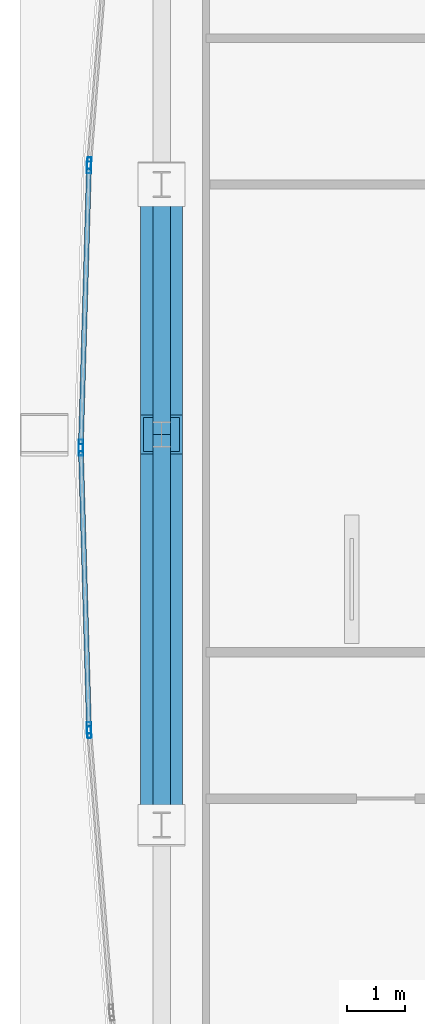
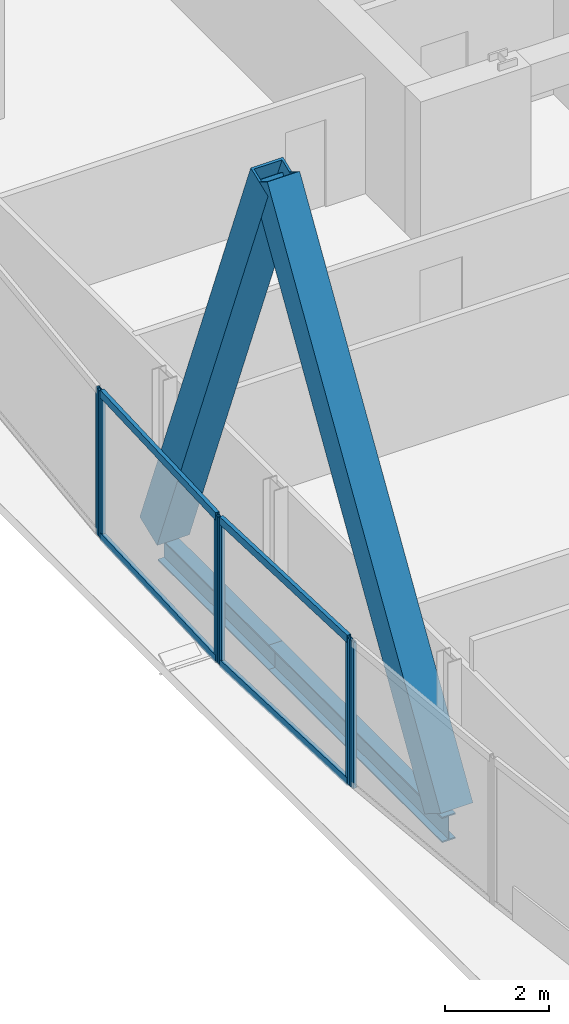
# One storey, part 10 of 32: 12 members, 2 beams, 4 elements without a shape of their own.
"""IFC4 building model written with IfcOpenShell, lengths in metres."""

from ifc_helpers import new_model, si_unit, direction, frame, origin, origin_2d, place, context, subcontext, project, spatial, hollow_rectangle, i_section, extrude, material, material_profile, profile_set, type_object, element, aggregate, save


model = new_model("IFC4")

# Units and contexts
model_context = context("Model", 3, precision=1e-05, world=origin(), true_north=direction((0.0, 1.0)))
body_context = subcontext(model_context, "Body", "Model", "MODEL_VIEW")
ifc_project = project(units=[si_unit("LENGTHUNIT", "METRE"), si_unit("AREAUNIT", "SQUARE_METRE"), si_unit("VOLUMEUNIT", "CUBIC_METRE"), si_unit("PLANEANGLEUNIT", "RADIAN"), si_unit("MASSUNIT", "GRAM", prefix="KILO")], contexts=[model_context])

# Site, building, storey
site_placement = place(None, origin())
site = spatial("IfcSite", under=ifc_project, at=site_placement, CompositionType="ELEMENT")
building_placement = place(site_placement, origin())
building = spatial("IfcBuilding", under=site, at=building_placement, Name="Khoronbel Lancet Exchange", CompositionType="ELEMENT")
storey_placement = place(building_placement, frame((0.0, 0.0, 188.60009765625)))
storey = spatial("IfcBuildingStorey", under=building, at=storey_placement, Name="L47", CompositionType="ELEMENT", Elevation=188.60009765625)

# Beams
ifc_material_1 = material(Name="Steel S355", Category="steel")
ifc_material_profile_1 = material_profile(ifc_material_1, i_section(OverallWidth=0.300048828125, OverallDepth=0.60009765625, WebThickness=0.015380859375, FlangeThickness=0.030029296875, at=origin_2d()), Name="HEB 600")
ifc_profile_set_1 = profile_set([ifc_material_profile_1], Name="Steel S355")
beam_type = type_object("IfcBeamType", Name="BM-BSP2", PredefinedType="SPANDREL", material=ifc_profile_set_1)
beam_1_placement = place(storey_placement, frame((7.27001953125, 35.699951171875, -0.460205078125), z_axis=(0.0, -1.0, 0.0), x_axis=(1.0, 0.0, 0.0)))
element("IfcBeam", 1, at=beam_1_placement, inside=storey, type_object=beam_type, Name="Level L47 perimeter spandrel beam SP16", PredefinedType="SPANDREL", context=body_context, shape_type="SweptSolid", body=[
    extrude(i_section(OverallWidth=0.300048828125, OverallDepth=0.60009765625, WebThickness=0.015380859375, FlangeThickness=0.030029296875, at=origin_2d()), origin(), (0.0, 0.0, 1.0), 4.27490234375),
])
beam_2_placement = place(storey_placement, frame((7.27001953125, 31.425048828125, -0.460205078125), z_axis=(0.0, -1.0, 0.0), x_axis=(1.0, 0.0, 0.0)))
element("IfcBeam", 2, at=beam_2_placement, inside=storey, type_object=beam_type, Name="Level L47 perimeter spandrel beam SP17", PredefinedType="SPANDREL", context=body_context, shape_type="SweptSolid", body=[
    extrude(i_section(OverallWidth=0.300048828125, OverallDepth=0.60009765625, WebThickness=0.015380859375, FlangeThickness=0.030029296875, at=origin_2d()), origin(), (0.0, 0.0, 1.0), 6.675048828125),
])

# Curtain wall, member
ifc_material_2 = material(Name="Low-E Solar Control Insulating Glass", Category="glass")
curtain_wall_type = type_object("IfcCurtainWallType", Name="CW-4", PredefinedType="NOTDEFINED", material=ifc_material_2)
curtain_wall_1_placement = place(storey_placement, origin())
curtain_wall_1 = element("IfcCurtainWall", 3, at=curtain_wall_1_placement, inside=storey, type_object=curtain_wall_type, Name="Unitised curtain wall CW-L47-E05", PredefinedType="NOTDEFINED")
ifc_material_3 = material(Name="Bronze-Anodised Aluminium 6063-T6", Category="aluminium")
ifc_material_profile_2 = material_profile(ifc_material_3, hollow_rectangle(XDim=0.074951171875, YDim=0.199951171875, WallThickness=0.0048828125, at=origin_2d()), Name="ALU MULLION 75x200")
ifc_profile_set_2 = profile_set([ifc_material_profile_2], Name="Bronze-Anodised Aluminium 6063-T6")
member_type_1 = type_object("IfcMemberType", Name="MEM-CWM2", PredefinedType="MULLION", material=ifc_profile_set_2)
member_1_placement = place(storey_placement, frame((6.03369140625, 26.334228515625, 0.0), z_axis=(0.0, 0.0, 1.0), x_axis=(-0.996854401909, -0.079254661653, 0.0)))
member_1 = element("IfcMember", 4, at=member_1_placement, type_object=member_type_1, Name="CW4 mullion 2", PredefinedType="MULLION", context=body_context, shape_type="SweptSolid", body=[
    extrude(hollow_rectangle(XDim=0.074951171875, YDim=0.199951171875, WallThickness=0.0048828125, at=origin_2d()), origin(), (0.0, 0.0, 1.0), 3.43994140625),
])
aggregate(curtain_wall_1, [member_1])

# Curtain wall, members
curtain_wall_2_placement = place(storey_placement, origin())
curtain_wall_2 = element("IfcCurtainWall", 5, at=curtain_wall_2_placement, inside=storey, type_object=curtain_wall_type, Name="Unitised curtain wall CW-L47-E06", PredefinedType="NOTDEFINED")
member_2_placement = place(storey_placement, frame((6.029541015625, 26.4091796875, 0.0), z_axis=(0.0, 0.0, 1.0), x_axis=(-0.999576300376, -0.029107039142, 0.0)))
member_2 = element("IfcMember", 6, at=member_2_placement, type_object=member_type_1, Name="CW4 mullion 1", PredefinedType="MULLION", context=body_context, shape_type="SweptSolid", body=[
    extrude(hollow_rectangle(XDim=0.074951171875, YDim=0.199951171875, WallThickness=0.0048828125, at=origin_2d()), origin(), (0.0, 0.0, 1.0), 3.43994140625),
])
member_3_placement = place(storey_placement, frame((5.89111328125, 31.16259765625, 0.0), z_axis=(0.0, 0.0, 1.0), x_axis=(-0.999576300376, -0.029107039142, 0.0)))
member_3 = element("IfcMember", 7, at=member_3_placement, type_object=member_type_1, Name="CW4 mullion 2", PredefinedType="MULLION", context=body_context, shape_type="SweptSolid", body=[
    extrude(hollow_rectangle(XDim=0.074951171875, YDim=0.199951171875, WallThickness=0.0048828125, at=origin_2d()), origin(), (0.0, 0.0, 1.0), 3.43994140625),
])

curtain_wall_3_placement = place(storey_placement, origin())
curtain_wall_3 = element("IfcCurtainWall", 8, at=curtain_wall_3_placement, inside=storey, type_object=curtain_wall_type, Name="Unitised curtain wall CW-L47-E07", PredefinedType="NOTDEFINED")
member_4_placement = place(storey_placement, frame((5.89111328125, 31.237548828125, 0.0), z_axis=(0.0, 0.0, 1.0), x_axis=(-0.999576300376, 0.029107039142, 0.0)))
member_4 = element("IfcMember", 9, at=member_4_placement, type_object=member_type_1, Name="CW4 mullion 1", PredefinedType="MULLION", context=body_context, shape_type="SweptSolid", body=[
    extrude(hollow_rectangle(XDim=0.074951171875, YDim=0.199951171875, WallThickness=0.0048828125, at=origin_2d()), origin(), (0.0, 0.0, 1.0), 3.43994140625),
])
member_5_placement = place(storey_placement, frame((6.029541015625, 35.990966796875, 0.0), z_axis=(0.0, 0.0, 1.0), x_axis=(-0.999576300376, 0.029107039142, 0.0)))
member_5 = element("IfcMember", 10, at=member_5_placement, type_object=member_type_1, Name="CW4 mullion 2", PredefinedType="MULLION", context=body_context, shape_type="SweptSolid", body=[
    extrude(hollow_rectangle(XDim=0.074951171875, YDim=0.199951171875, WallThickness=0.0048828125, at=origin_2d()), origin(), (0.0, 0.0, 1.0), 3.43994140625),
])

# Curtain wall, member
curtain_wall_4_placement = place(storey_placement, origin())
curtain_wall_4 = element("IfcCurtainWall", 11, at=curtain_wall_4_placement, inside=storey, type_object=curtain_wall_type, Name="Unitised curtain wall CW-L47-E08", PredefinedType="NOTDEFINED")
member_6_placement = place(storey_placement, frame((6.03369140625, 36.065673828125, 0.0), z_axis=(0.0, 0.0, 1.0), x_axis=(-0.996854401909, 0.079254661653, 0.0)))
member_6 = element("IfcMember", 12, at=member_6_placement, type_object=member_type_1, Name="CW4 mullion 1", PredefinedType="MULLION", context=body_context, shape_type="SweptSolid", body=[
    extrude(hollow_rectangle(XDim=0.074951171875, YDim=0.199951171875, WallThickness=0.0048828125, at=origin_2d()), origin(), (0.0, 0.0, 1.0), 3.43994140625),
])
aggregate(curtain_wall_4, [member_6])

# Member
ifc_material_profile_3 = material_profile(ifc_material_3, hollow_rectangle(XDim=0.0849609375, YDim=0.179931640625, WallThickness=0.0048828125, at=origin_2d()), Name="ALU TRANSOM 85x180")
ifc_profile_set_3 = profile_set([ifc_material_profile_3], Name="Bronze-Anodised Aluminium 6063-T6")
member_type_2 = type_object("IfcMemberType", Name="MEM-CWT1", PredefinedType="USERDEFINED", material=ifc_profile_set_3)
member_7_placement = place(storey_placement, frame((6.0283203125, 26.446533203125, 0.04248046875), z_axis=(-0.029106277096, 0.999576322566, 0.0), x_axis=(-0.999576322566, -0.029106277096, 0.0)))
member_7 = element("IfcMember", 13, at=member_7_placement, type_object=member_type_2, Name="CW4 transom 1.1", ObjectType="TRANSOM", PredefinedType="USERDEFINED", context=body_context, shape_type="SweptSolid", body=[
    extrude(hollow_rectangle(XDim=0.0849609375, YDim=0.179931640625, WallThickness=0.0048828125, at=origin_2d()), origin(), (0.0, 0.0, 1.0), 4.680419921875),
])

member_8_placement = place(storey_placement, frame((6.0283203125, 26.446533203125, 3.3974609375), z_axis=(-0.029106277096, 0.999576322566, 0.0), x_axis=(-0.999576322566, -0.029106277096, 0.0)))
member_8 = element("IfcMember", 14, at=member_8_placement, type_object=member_type_2, Name="CW4 transom 1.2", ObjectType="TRANSOM", PredefinedType="USERDEFINED", context=body_context, shape_type="SweptSolid", body=[
    extrude(hollow_rectangle(XDim=0.0849609375, YDim=0.179931640625, WallThickness=0.0048828125, at=origin_2d()), origin(), (0.0, 0.0, 1.0), 4.680419921875),
])

aggregate(curtain_wall_2, [member_2, member_3, member_7, member_8])

member_9_placement = place(storey_placement, frame((5.89208984375, 31.27490234375, 0.04248046875), z_axis=(0.029106277096, 0.999576322566, 0.0), x_axis=(-0.999576322566, 0.029106277096, 0.0)))
member_9 = element("IfcMember", 15, at=member_9_placement, type_object=member_type_2, Name="CW4 transom 1.1", ObjectType="TRANSOM", PredefinedType="USERDEFINED", context=body_context, shape_type="SweptSolid", body=[
    extrude(hollow_rectangle(XDim=0.0849609375, YDim=0.179931640625, WallThickness=0.0048828125, at=origin_2d()), origin(), (0.0, 0.0, 1.0), 4.680419921875),
])

member_10_placement = place(storey_placement, frame((5.89208984375, 31.27490234375, 3.3974609375), z_axis=(0.029106277096, 0.999576322566, 0.0), x_axis=(-0.999576322566, 0.029106277096, 0.0)))
member_10 = element("IfcMember", 16, at=member_10_placement, type_object=member_type_2, Name="CW4 transom 1.2", ObjectType="TRANSOM", PredefinedType="USERDEFINED", context=body_context, shape_type="SweptSolid", body=[
    extrude(hollow_rectangle(XDim=0.0849609375, YDim=0.179931640625, WallThickness=0.0048828125, at=origin_2d()), origin(), (0.0, 0.0, 1.0), 4.680419921875),
])

aggregate(curtain_wall_3, [member_4, member_5, member_9, member_10])

# Members
ifc_material_4 = material(Name="Steel S460", Category="steel")
ifc_material_profile_4 = material_profile(ifc_material_4, hollow_rectangle(XDim=0.719970703125, YDim=0.719970703125, WallThickness=0.050048828125, at=origin_2d()), Name="BOX 720x720x50")
ifc_profile_set_4 = profile_set([ifc_material_profile_4], Name="Steel S460")
member_type_3 = type_object("IfcMemberType", Name="MEM-MB2", PredefinedType="BRACE", material=ifc_profile_set_4)
member_11_placement = place(storey_placement, frame((7.27001953125, 24.75, 0.0), z_axis=(0.0, 0.525754049787, 0.850636631666), x_axis=(-1.0, 0.0, 0.0)))
element("IfcMember", 17, at=member_11_placement, inside=storey, type_object=member_type_3, Name="Perimeter lancet brace tier 16 W-P-L", PredefinedType="BRACE", context=body_context, shape_type="SweptSolid", body=[
    extrude(hollow_rectangle(XDim=0.719970703125, YDim=0.719970703125, WallThickness=0.050048828125, at=origin_2d()), origin(), (0.0, 0.0, 1.0), 12.696044921875),
])
member_12_placement = place(storey_placement, frame((7.27001953125, 35.699951171875, 0.0), z_axis=(0.0, -0.368046936675, 0.929807212493), x_axis=(1.0, 0.0, 0.0)))
element("IfcMember", 18, at=member_12_placement, inside=storey, type_object=member_type_3, Name="Perimeter lancet brace tier 16 W-P-R", PredefinedType="BRACE", context=body_context, shape_type="SweptSolid", body=[
    extrude(hollow_rectangle(XDim=0.719970703125, YDim=0.719970703125, WallThickness=0.050048828125, at=origin_2d()), origin(), (0.0, 0.0, 1.0), 11.614990234375),
])

save(model, "model.ifc")
